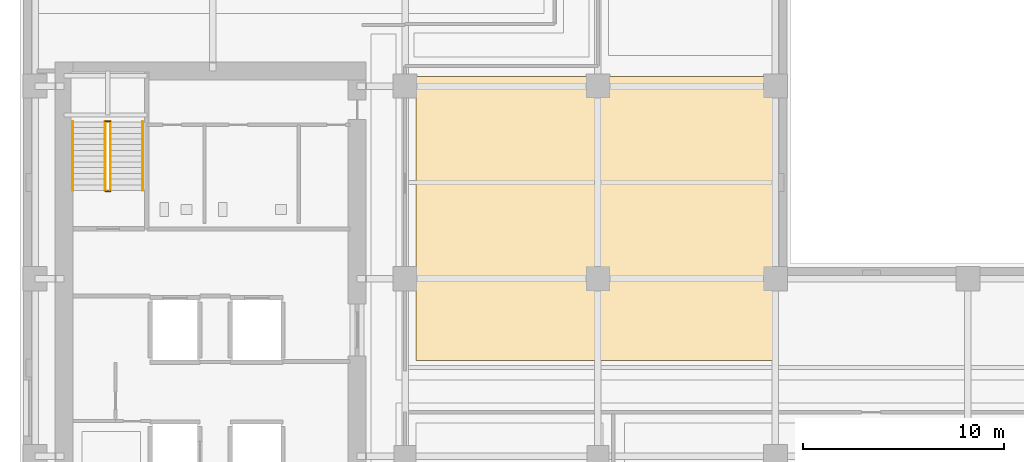
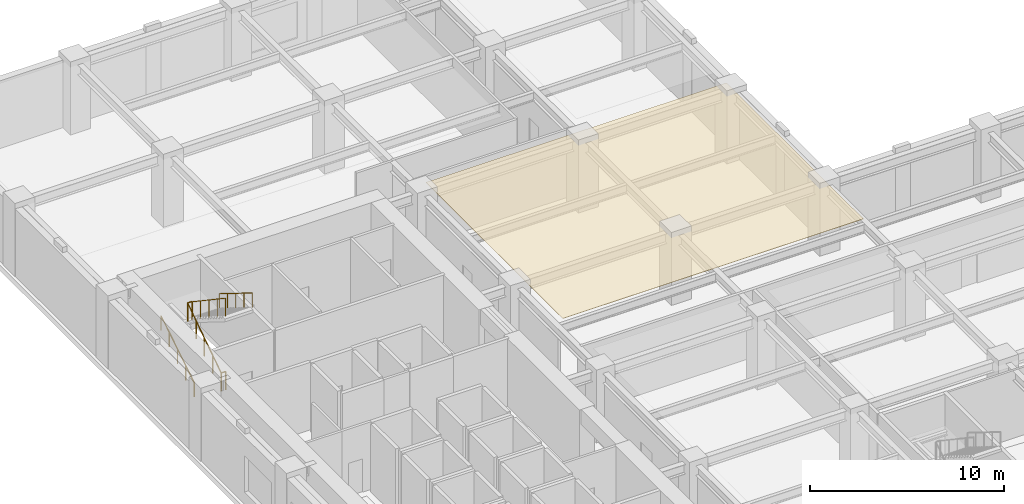
# One storey, part 20 of 24: 6 railings, 1 covering.
"""IFC4 building model written with IfcOpenShell, lengths in metres."""

from ifc_helpers import new_model, si_unit, direction, frame, origin, origin_2d, place, context, subcontext, project, spatial, polyline, circle, outline, extrude, material, layer, layer_set, type_object, element, save


model = new_model("IFC4")

# Units and contexts
model_context = context("Model", 3, precision=1e-05, world=origin(), true_north=direction((0.0, 1.0)))
body_context = subcontext(model_context, "Body", "Model", "MODEL_VIEW")
ifc_project = project(units=[si_unit("LENGTHUNIT", "METRE"), si_unit("AREAUNIT", "SQUARE_METRE"), si_unit("VOLUMEUNIT", "CUBIC_METRE"), si_unit("PLANEANGLEUNIT", "RADIAN"), si_unit("MASSUNIT", "GRAM", prefix="KILO")], contexts=[model_context])

# Site, building, storey
site_placement = place(None, origin())
site = spatial("IfcSite", under=ifc_project, at=site_placement, CompositionType="ELEMENT")
building_placement = place(site_placement, origin())
building = spatial("IfcBuilding", under=site, at=building_placement, Name="Norrvale University Quadrangle", CompositionType="ELEMENT")
storey_placement = place(building_placement, frame((0.0, 0.0, 15.0)))
storey = spatial("IfcBuildingStorey", under=building, at=storey_placement, Name="L03", CompositionType="ELEMENT", Elevation=15.0)

# Covering
ifc_material_1 = material(Name="Perforated Acoustic Mineral Ceiling")
ifc_layer = layer(ifc_material_1, 0.02490234375, Name="Perforated Acoustic Mineral Ceiling")
ifc_layer_set = layer_set([ifc_layer], Name="Perforated Acoustic Mineral Ceiling")
covering_type = type_object("IfcCoveringType", Name="Covering Acoustic Ceiling 25", PredefinedType="CEILING", material=ifc_layer_set)
covering_placement = place(storey_placement, frame((0.0, 0.0, 4.235107421875)))
element("IfcCovering", 1, at=covering_placement, inside=storey, type_object=covering_type, Name="Acoustic Ceiling RM-L03-MNE01", PredefinedType="CEILING", context=body_context, shape_type="SweptSolid", body=[
    extrude(outline(polyline([(19.72998046875, 47.719970703125), (37.64990234375, 47.719970703125), (37.64990234375, 33.580078125), (19.72998046875, 33.580078125), (19.72998046875, 47.719970703125)])), origin(), (0.0, 0.0, 1.0), 0.02490234375),
])

# Railings
ifc_material_2 = material(Name="Steel 350W Painted Balustrade", Category="steel")
railing_type_1 = type_object("IfcRailingType", Name="Railing Stair Guard 1100", PredefinedType="GUARDRAIL", material=ifc_material_2)
for number, where, name in (
    (2, (4.239990234375, 42.02001953125, 0.0), "Stair Floor Well Guard ST-02 L03"),
    (3, (4.239990234375, 45.5, 2.300048828125), "Stair Mid-Landing Slot Guard ST-02 L03"),
):
    element("IfcRailing", number, at=place(storey_placement, frame(where)), inside=storey, type_object=railing_type_1, Name=name, PredefinedType="GUARDRAIL", context=body_context, shape_type="SweptSolid", body=[
        extrude(circle(Radius=0.02392578125, at=origin_2d()), frame((0.0, 0.0, 1.1259765625), z_axis=(1.0, 0.0, 0.0), x_axis=(0.0, 1.0, 0.0)), (0.0, 0.0, 1.0), 0.27001953125),
        extrude(circle(Radius=0.02099609375, at=origin_2d()), origin(), (0.0, 0.0, 1.0), 1.101806640625),
        extrude(circle(Radius=0.02099609375, at=origin_2d()), frame((0.27001953125, 0.0, 0.0)), (0.0, 0.0, 1.0), 1.101806640625),
    ])
railing_1_placement = place(storey_placement, frame((4.239990234375, 42.050048828125, 0.0)))
element("IfcRailing", 4, at=railing_1_placement, inside=storey, type_object=railing_type_1, Name="Stair Lower Flight Inner Guard ST-02 L03", PredefinedType="GUARDRAIL", context=body_context, shape_type="SweptSolid", body=[
    extrude(circle(Radius=0.02392578125, at=origin_2d()), frame((0.0, 0.0, 1.1259765625), z_axis=(0.0, 0.8297924358, 0.55807214004), x_axis=(-1.0, 0.0, 0.0)), (0.0, 0.0, 1.0), 4.121337890625),
    extrude(circle(Radius=0.02099609375, at=origin_2d()), origin(), (0.0, 0.0, 1.0), 1.101806640625),
    extrude(circle(Radius=0.02099609375, at=origin_2d()), frame((0.0, 0.85498046875, 0.574951171875)), (0.0, 0.0, 1.0), 1.101806640625),
    extrude(circle(Radius=0.02099609375, at=origin_2d()), frame((0.0, 1.7099609375, 1.14990234375)), (0.0, 0.0, 1.0), 1.101806640625),
    extrude(circle(Radius=0.02099609375, at=origin_2d()), frame((0.0, 2.56494140625, 1.72509765625)), (0.0, 0.0, 1.0), 1.101806640625),
    extrude(circle(Radius=0.02099609375, at=origin_2d()), frame((0.0, 3.419921875, 2.300048828125)), (0.0, 0.0, 1.0), 1.101806640625),
])
railing_2_placement = place(storey_placement, frame((4.510009765625, 45.469970703125, 2.300048828125)))
element("IfcRailing", 5, at=railing_2_placement, inside=storey, type_object=railing_type_1, Name="Stair Upper Flight Inner Guard ST-02 L03", PredefinedType="GUARDRAIL", context=body_context, shape_type="SweptSolid", body=[
    extrude(circle(Radius=0.02392578125, at=origin_2d()), frame((0.0, 0.0, 1.1259765625), z_axis=(0.0, -0.8297924358, 0.55807214004), x_axis=(1.0, 0.0, 0.0)), (0.0, 0.0, 1.0), 4.121337890625),
    extrude(circle(Radius=0.02099609375, at=origin_2d()), origin(), (0.0, 0.0, 1.0), 1.101806640625),
    extrude(circle(Radius=0.02099609375, at=origin_2d()), frame((0.0, -0.85498046875, 0.574951171875)), (0.0, 0.0, 1.0), 1.101806640625),
    extrude(circle(Radius=0.02099609375, at=origin_2d()), frame((0.0, -1.7099609375, 1.14990234375)), (0.0, 0.0, 1.0), 1.101806640625),
    extrude(circle(Radius=0.02099609375, at=origin_2d()), frame((0.0, -2.56494140625, 1.72509765625)), (0.0, 0.0, 1.0), 1.101806640625),
    extrude(circle(Radius=0.02099609375, at=origin_2d()), frame((0.0, -3.419921875, 2.300048828125)), (0.0, 0.0, 1.0), 1.101806640625),
])
ifc_material_3 = material(Name="Stainless Steel 316L Handrail", Category="steel")
railing_type_2 = type_object("IfcRailingType", Name="Railing Stair Handrail 920", PredefinedType="HANDRAIL", material=ifc_material_3)
railing_3_placement = place(storey_placement, frame((2.639892578125, 42.050048828125, 0.177001953125)))
element("IfcRailing", 6, at=railing_3_placement, inside=storey, type_object=railing_type_2, Name="Stair Lower Flight Handrail ST-02 L03", PredefinedType="HANDRAIL", context=body_context, shape_type="SweptSolid", body=[
    extrude(circle(Radius=0.02392578125, at=origin_2d()), frame((0.0, 0.0, 0.89599609375), z_axis=(0.0, 0.849602680019, 0.527423251388), x_axis=(-1.0, 0.0, 0.0)), (0.0, 0.0, 1.0), 4.025390625),
    extrude(circle(Radius=0.02099609375, at=origin_2d()), origin(), (0.0, 0.0, 1.0), 0.871826171875),
    extrude(circle(Radius=0.02099609375, at=origin_2d()), frame((0.0, 0.85498046875, 0.53076171875)), (0.0, 0.0, 1.0), 0.871826171875),
    extrude(circle(Radius=0.02099609375, at=origin_2d()), frame((0.0, 1.7099609375, 1.0615234375)), (0.0, 0.0, 1.0), 0.871826171875),
    extrude(circle(Radius=0.02099609375, at=origin_2d()), frame((0.0, 2.56494140625, 1.59228515625)), (0.0, 0.0, 1.0), 0.871826171875),
    extrude(circle(Radius=0.02099609375, at=origin_2d()), frame((0.0, 3.419921875, 2.123046875)), (0.0, 0.0, 1.0), 0.871826171875),
])
railing_4_placement = place(storey_placement, frame((6.110107421875, 45.469970703125, 2.476806640625)))
element("IfcRailing", 7, at=railing_4_placement, inside=storey, type_object=railing_type_2, Name="Stair Upper Flight Handrail ST-02 L03", PredefinedType="HANDRAIL", context=body_context, shape_type="SweptSolid", body=[
    extrude(circle(Radius=0.02392578125, at=origin_2d()), frame((0.0, 0.0, 0.89599609375), z_axis=(0.0, -0.849575501924, 0.527467028857), x_axis=(1.0, 0.0, 0.0)), (0.0, 0.0, 1.0), 4.025390625),
    extrude(circle(Radius=0.02099609375, at=origin_2d()), origin(), (0.0, 0.0, 1.0), 0.871826171875),
    extrude(circle(Radius=0.02099609375, at=origin_2d()), frame((0.0, -0.85498046875, 0.53076171875)), (0.0, 0.0, 1.0), 0.871826171875),
    extrude(circle(Radius=0.02099609375, at=origin_2d()), frame((0.0, -1.7099609375, 1.0615234375)), (0.0, 0.0, 1.0), 0.871826171875),
    extrude(circle(Radius=0.02099609375, at=origin_2d()), frame((0.0, -2.56494140625, 1.592529296875)), (0.0, 0.0, 1.0), 0.871826171875),
    extrude(circle(Radius=0.02099609375, at=origin_2d()), frame((0.0, -3.419921875, 2.123291015625)), (0.0, 0.0, 1.0), 0.871826171875),
])

save(model, "model.ifc")
